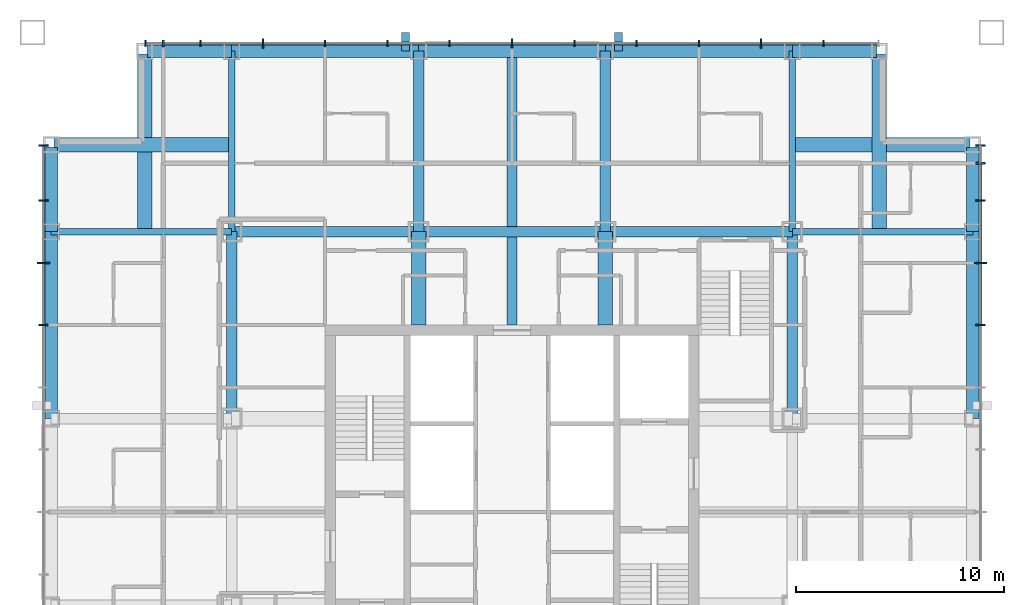
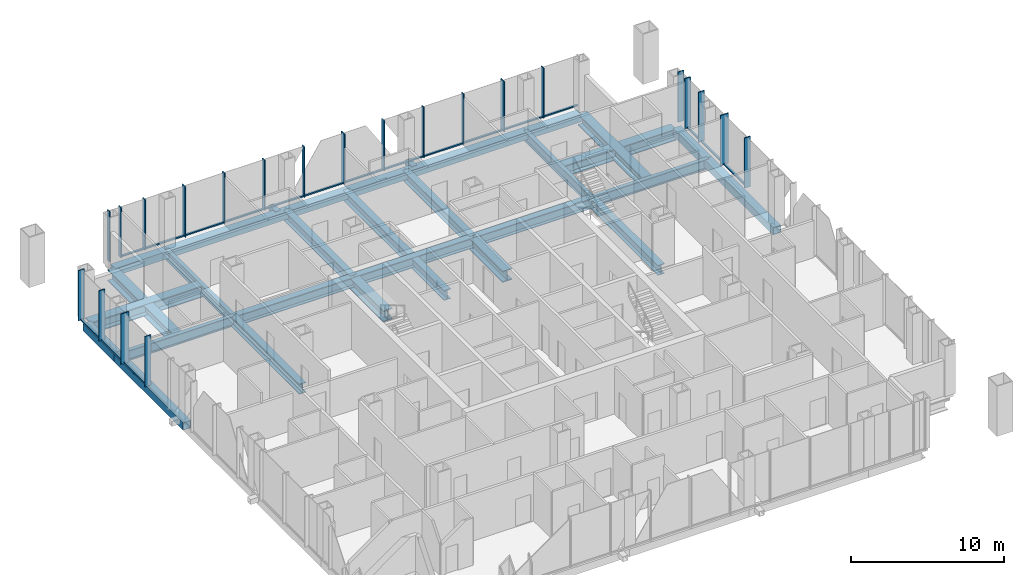
# One storey, part 4 of 17: 42 members, 27 beams, 3 elements without a shape of their own.
"""IFC4 building model written with IfcOpenShell, lengths in metres."""

import ifcopenshell
import ifcopenshell.guid

model = None  # the IFC model being written
_history = None  # IfcOwnerHistory: only IFC2X3 demands one
_inside = {}  # id of a spatial element -> (the spatial element, [elements in it])
_under = {}  # id of a project, library or spatial element -> (it, [spatial elements below it])
_declared = {}  # id of a project -> (the project, [libraries it declares])
_typed = {}  # id of a type object -> (the type object, [elements of that type])
_made_of = {}  # id of a material, layer set ... -> (it, [elements and type objects made of it])


def new_model(schema):
    """Start an empty IFC model of exactly this schema.

    Asked for "IFC4X3", IfcOpenShell would pick the latest addendum, in which some entities
    have other attributes; the version numbers below select the first issue.
    IFC2X3 requires an IfcOwnerHistory on every rooted entity: one is made here for all.
    """
    global model, _history
    if schema == "IFC4X3":
        model = ifcopenshell.file(schema_version=(4, 3, 0, 0))
    else:
        model = ifcopenshell.file(schema=schema)
    _inside.clear()
    _under.clear()
    _declared.clear()
    _typed.clear()
    _made_of.clear()
    _history = None
    if model.schema == "IFC2X3":
        org = make("IfcOrganization", Name="unknown")
        user = make(
            "IfcPersonAndOrganization",
            ThePerson=make("IfcPerson", FamilyName="unknown"),
            TheOrganization=org,
        )
        app = make(
            "IfcApplication",
            ApplicationDeveloper=org,
            Version="unknown",
            ApplicationFullName="unknown",
            ApplicationIdentifier="unknown",
        )
        _history = make(
            "IfcOwnerHistory",
            OwningUser=user,
            OwningApplication=app,
            ChangeAction="ADDED",
            CreationDate=0,
        )
    return model


def make(cls, **values):
    """One entity of the class cls with the attributes given. An attribute that is None is left unset."""
    return model.create_entity(
        cls, **{name: value for name, value in values.items() if value is not None}
    )


def rooted(cls, **values):
    """An entity with a GlobalId (a new one), such as an element, a storey or a relation."""
    return make(cls, GlobalId=ifcopenshell.guid.new(), OwnerHistory=_history, **values)


def si_unit(unit_type, name, prefix=None):
    """IfcSIUnit, for example si_unit("LENGTHUNIT", "METRE", prefix="MILLI")."""
    return make("IfcSIUnit", UnitType=unit_type, Prefix=prefix, Name=name)


def assignment(units):
    """IfcUnitAssignment: the units of a project."""
    return None if units is None else make("IfcUnitAssignment", Units=units)


def point(xyz):
    """IfcCartesianPoint."""
    return None if xyz is None else make("IfcCartesianPoint", Coordinates=xyz)


def direction(xyz):
    """IfcDirection."""
    return None if xyz is None else make("IfcDirection", DirectionRatios=xyz)


def frame(location, z_axis=None, x_axis=None):
    """IfcAxis2Placement3D, a coordinate frame: its origin and axes. An axis left out is left unset."""
    return make(
        "IfcAxis2Placement3D",
        Location=point(location),
        Axis=direction(z_axis),
        RefDirection=direction(x_axis),
    )


def frame_2d(location, x_axis=None):
    """IfcAxis2Placement2D, a coordinate frame in the plane: its origin and x axis."""
    return make(
        "IfcAxis2Placement2D", Location=point(location), RefDirection=direction(x_axis)
    )


def origin():
    """The frame at (0, 0, 0) with its axes left unset."""
    return frame((0.0, 0.0, 0.0))


def origin_2d():
    """The frame at (0, 0) in the plane with its x axis left unset."""
    return frame_2d((0.0, 0.0))


def place(relative_to, where):
    """IfcLocalPlacement: puts the frame where relative to a parent placement (None: the world)."""
    return make(
        "IfcLocalPlacement", PlacementRelTo=relative_to, RelativePlacement=where
    )


def context(
    kind, dimensions, precision=None, world=None, true_north=None, identifier=None
):
    """IfcGeometricRepresentationContext, for example the 3D "Model" context."""
    return make(
        "IfcGeometricRepresentationContext",
        ContextIdentifier=identifier,
        ContextType=kind,
        CoordinateSpaceDimension=dimensions,
        Precision=precision,
        WorldCoordinateSystem=world,
        TrueNorth=true_north,
    )


def subcontext(parent, identifier, kind, view, scale=None):
    """IfcGeometricRepresentationSubContext, for example "Body" below "Model"."""
    return make(
        "IfcGeometricRepresentationSubContext",
        ContextIdentifier=identifier,
        ContextType=kind,
        ParentContext=parent,
        TargetScale=scale,
        TargetView=view,
    )


def project(units=None, contexts=None):
    """IfcProject with its units and contexts."""
    return rooted(
        "IfcProject",
        Name="project",
        RepresentationContexts=contexts,
        UnitsInContext=assignment(units),
    )


def spatial(cls, under=None, at=None, **own):
    """A site, building, storey or space (cls), placed at a placement, below another one or the project."""
    s = rooted(cls, ObjectPlacement=at, **own)
    if under is not None:
        _under.setdefault(under.id(), (under, []))[1].append(s)
    return s


def profile(cls, at=None, kind="AREA", **sizes):
    """A parametric profile (cls). Its sizes go by their IFC names, for example OverallWidth=200.0."""
    return make(cls, ProfileType=kind, Position=at, **sizes)


def rectangle(**sizes):
    """IfcRectangleProfileDef."""
    return profile("IfcRectangleProfileDef", **sizes)


def hollow_rectangle(**sizes):
    """IfcRectangleHollowProfileDef."""
    return profile("IfcRectangleHollowProfileDef", **sizes)


def i_section(**sizes):
    """IfcIShapeProfileDef."""
    return profile("IfcIShapeProfileDef", **sizes)


def extrude(swept, where, along, depth):
    """IfcExtrudedAreaSolid: the profile swept, set in the frame where, extruded along a direction by depth."""
    return make(
        "IfcExtrudedAreaSolid",
        SweptArea=swept,
        Position=where,
        ExtrudedDirection=direction(along),
        Depth=depth,
    )


def shape(context_of_items, identifier, shape_type, items):
    """IfcShapeRepresentation: the items that make up one representation, for example the "Body"."""
    return make(
        "IfcShapeRepresentation",
        ContextOfItems=context_of_items,
        RepresentationIdentifier=identifier,
        RepresentationType=shape_type,
        Items=items,
    )


def material(Name=None, Category=None):
    """IfcMaterial."""
    return make("IfcMaterial", Name=Name, Category=Category)


def layer(
    of_material, thickness, ventilated=None, Name=None, Category=None, Priority=None
):
    """IfcMaterialLayer: one layer of a wall or slab, of a material (None: an air gap)."""
    return make(
        "IfcMaterialLayer",
        Material=of_material,
        LayerThickness=thickness,
        IsVentilated=ventilated,
        Name=Name,
        Category=Category,
        Priority=Priority,
    )


def layer_set(layers, Name=None):
    """IfcMaterialLayerSet."""
    return make("IfcMaterialLayerSet", MaterialLayers=layers, LayerSetName=Name)


def material_profile(
    of_material, cross_section, Name=None, Category=None, Priority=None
):
    """IfcMaterialProfile: a cross section and its material."""
    return make(
        "IfcMaterialProfile",
        Name=Name,
        Material=of_material,
        Profile=cross_section,
        Priority=Priority,
        Category=Category,
    )


def profile_set(profiles, Name=None, composite=None):
    """IfcMaterialProfileSet."""
    return make(
        "IfcMaterialProfileSet",
        Name=Name,
        MaterialProfiles=profiles,
        CompositeProfile=composite,
    )


def made_of(thing, what):
    """Note that an element or type object is made of a material, layer set ...; save() writes the relation."""
    if what is not None:
        _made_of.setdefault(what.id(), (what, []))[1].append(thing)
    return thing


def type_object(cls, material=None, **own):
    """A type object (cls), such as IfcWallType, which elements share."""
    return made_of(rooted(cls, **own), material)


def element(
    cls,
    number,
    at=None,
    inside=None,
    cuts=None,
    type_object=None,
    material=None,
    context=None,
    identifier="Body",
    shape_type=None,
    held_by="IfcProductDefinitionShape",
    body=None,
    shapes=None,
    **own,
):
    """One element of the class cls, such as IfcWall. Its Tag is "e" and its number.

    at: its placement. inside: the storey or other place that contains it. cuts: it is an
    opening in that element (IfcRelVoidsElement). A single representation is given by context,
    identifier, shape_type and body (its items); several are given by shapes. held_by: the class
    of the entity that holds the representations. save() writes the other relations.
    """
    e = rooted(cls, Tag="e%d" % number, ObjectPlacement=at, **own)
    if body is not None:
        shapes = [shape(context, identifier, shape_type, body)]
    if shapes is not None:
        e.Representation = make(held_by, Representations=shapes)
    if inside is not None:
        _inside.setdefault(inside.id(), (inside, []))[1].append(e)
    if cuts is not None:
        rooted(
            "IfcRelVoidsElement", RelatingBuildingElement=cuts, RelatedOpeningElement=e
        )
    if type_object is not None:
        _typed.setdefault(type_object.id(), (type_object, []))[1].append(e)
    return made_of(e, material)


def aggregate(whole, parts):
    """IfcRelAggregates: a whole, such as a stair, and the parts it consists of."""
    return rooted("IfcRelAggregates", RelatingObject=whole, RelatedObjects=parts)


def save(model, path):
    """Write the relations noted so far, then the file.

    IfcRelAggregates (storeys below a building ...), IfcRelContainedInSpatialStructure (elements
    in a storey), IfcRelDefinesByType, IfcRelAssociatesMaterial and IfcRelDeclares: one each for
    every whole, place, type object, material and project.
    """
    for whole, parts in _under.values():
        aggregate(whole, parts)
    for where, things in _inside.values():
        rooted(
            "IfcRelContainedInSpatialStructure",
            RelatedElements=things,
            RelatingStructure=where,
        )
    for kind, things in _typed.values():
        rooted("IfcRelDefinesByType", RelatedObjects=things, RelatingType=kind)
    for what, things in _made_of.values():
        rooted("IfcRelAssociatesMaterial", RelatedObjects=things, RelatingMaterial=what)
    for by, libraries in _declared.values():
        rooted("IfcRelDeclares", RelatingContext=by, RelatedDefinitions=libraries)
    model.write(path)


model = new_model("IFC4")

# Units and contexts
model_context = context("Model", 3, precision=1e-05, world=origin(), true_north=direction((0.0, 1.0)))
body_context = subcontext(model_context, "Body", "Model", "MODEL_VIEW")
ifc_project = project(units=[si_unit("LENGTHUNIT", "METRE"), si_unit("AREAUNIT", "SQUARE_METRE"), si_unit("VOLUMEUNIT", "CUBIC_METRE"), si_unit("PLANEANGLEUNIT", "RADIAN"), si_unit("MASSUNIT", "GRAM", prefix="KILO")], contexts=[model_context])

# Site, building, storey
site_placement = place(None, origin())
site = spatial("IfcSite", under=ifc_project, at=site_placement, CompositionType="ELEMENT")
building_placement = place(site_placement, origin())
building = spatial("IfcBuilding", under=site, at=building_placement, Name="Malebo Sky Hospital", CompositionType="ELEMENT")
storey_placement = place(building_placement, frame((0.0, 0.0, 237.0)))
storey = spatial("IfcBuildingStorey", under=building, at=storey_placement, Name="L57", CompositionType="ELEMENT", Elevation=237.0)

# Curtain wall, members
ifc_material_1 = material(Name="Anodised aluminium, natural silver", Category="aluminium")
ifc_layer_1 = layer(ifc_material_1, 0.25)
ifc_layer_set_1 = layer_set([ifc_layer_1], Name="WARD CURTAIN WALL NORTH AND SOUTH")
curtain_wall_type_1 = type_object("IfcCurtainWallType", Name="WARD CURTAIN WALL NORTH AND SOUTH", PredefinedType="NOTDEFINED", material=ifc_layer_set_1)
curtain_wall_1_placement = place(storey_placement, origin())
curtain_wall_1 = element("IfcCurtainWall", 1, at=curtain_wall_1_placement, inside=storey, type_object=curtain_wall_type_1, Name="NS curtain wall N", PredefinedType="NOTDEFINED")
ifc_material_profile_1 = material_profile(ifc_material_1, rectangle(XDim=0.14990234375, YDim=0.10009765625, at=origin_2d()), Name="ALUMINIUM TRANSOM 150x100")
ifc_profile_set_1 = profile_set([ifc_material_profile_1], Name="Anodised aluminium, natural silver")
member_type_1 = type_object("IfcMemberType", Name="ALUMINIUM TRANSOM 150x100", PredefinedType="USERDEFINED", material=ifc_profile_set_1)
member_1_placement = place(storey_placement, frame((43.237548828125, 84.574951171875, 0.050048828125), z_axis=(1.0, 0.0, 0.0), x_axis=(0.0, 1.0, 0.0)))
member_1 = element("IfcMember", 2, at=member_1_placement, type_object=member_type_1, Name="Transom 2", ObjectType="TRANSOM", PredefinedType="USERDEFINED", context=body_context, shape_type="SweptSolid", body=[
    extrude(rectangle(XDim=0.14990234375, YDim=0.10009765625, at=origin_2d()), origin(), (0.0, 0.0, 1.0), 1.724853515625),
])
member_2_placement = place(storey_placement, frame((45.03759765625, 84.574951171875, 0.050048828125), z_axis=(1.0, 0.0, 0.0), x_axis=(0.0, 1.0, 0.0)))
member_2 = element("IfcMember", 3, at=member_2_placement, type_object=member_type_1, Name="Transom 3", ObjectType="TRANSOM", PredefinedType="USERDEFINED", context=body_context, shape_type="SweptSolid", body=[
    extrude(rectangle(XDim=0.14990234375, YDim=0.10009765625, at=origin_2d()), origin(), (0.0, 0.0, 1.0), 2.9248046875),
])
member_3_placement = place(storey_placement, frame((48.03759765625, 84.574951171875, 0.050048828125), z_axis=(1.0, 0.0, 0.0), x_axis=(0.0, 1.0, 0.0)))
member_3 = element("IfcMember", 4, at=member_3_placement, type_object=member_type_1, Name="Transom 4", ObjectType="TRANSOM", PredefinedType="USERDEFINED", context=body_context, shape_type="SweptSolid", body=[
    extrude(rectangle(XDim=0.14990234375, YDim=0.10009765625, at=origin_2d()), origin(), (0.0, 0.0, 1.0), 2.9248046875),
])
member_4_placement = place(storey_placement, frame((51.03759765625, 84.574951171875, 0.050048828125), z_axis=(1.0, 0.0, 0.0), x_axis=(0.0, 1.0, 0.0)))
member_4 = element("IfcMember", 5, at=member_4_placement, type_object=member_type_1, Name="Transom 5", ObjectType="TRANSOM", PredefinedType="USERDEFINED", context=body_context, shape_type="SweptSolid", body=[
    extrude(rectangle(XDim=0.14990234375, YDim=0.10009765625, at=origin_2d()), origin(), (0.0, 0.0, 1.0), 2.9248046875),
])
member_5_placement = place(storey_placement, frame((54.03759765625, 84.574951171875, 0.050048828125), z_axis=(1.0, 0.0, 0.0), x_axis=(0.0, 1.0, 0.0)))
member_5 = element("IfcMember", 6, at=member_5_placement, type_object=member_type_1, Name="Transom 6", ObjectType="TRANSOM", PredefinedType="USERDEFINED", context=body_context, shape_type="SweptSolid", body=[
    extrude(rectangle(XDim=0.14990234375, YDim=0.10009765625, at=origin_2d()), origin(), (0.0, 0.0, 1.0), 2.9248046875),
])
member_6_placement = place(storey_placement, frame((57.03759765625, 84.574951171875, 0.050048828125), z_axis=(1.0, 0.0, 0.0), x_axis=(0.0, 1.0, 0.0)))
member_6 = element("IfcMember", 7, at=member_6_placement, type_object=member_type_1, Name="Transom 7", ObjectType="TRANSOM", PredefinedType="USERDEFINED", context=body_context, shape_type="SweptSolid", body=[
    extrude(rectangle(XDim=0.14990234375, YDim=0.10009765625, at=origin_2d()), origin(), (0.0, 0.0, 1.0), 2.9248046875),
])
member_7_placement = place(storey_placement, frame((60.03759765625, 84.574951171875, 0.050048828125), z_axis=(1.0, 0.0, 0.0), x_axis=(0.0, 1.0, 0.0)))
member_7 = element("IfcMember", 8, at=member_7_placement, type_object=member_type_1, Name="Transom 8", ObjectType="TRANSOM", PredefinedType="USERDEFINED", context=body_context, shape_type="SweptSolid", body=[
    extrude(rectangle(XDim=0.14990234375, YDim=0.10009765625, at=origin_2d()), origin(), (0.0, 0.0, 1.0), 2.9248046875),
])
member_8_placement = place(storey_placement, frame((63.03759765625, 84.574951171875, 0.050048828125), z_axis=(1.0, 0.0, 0.0), x_axis=(0.0, 1.0, 0.0)))
member_8 = element("IfcMember", 9, at=member_8_placement, type_object=member_type_1, Name="Transom 9", ObjectType="TRANSOM", PredefinedType="USERDEFINED", context=body_context, shape_type="SweptSolid", body=[
    extrude(rectangle(XDim=0.14990234375, YDim=0.10009765625, at=origin_2d()), origin(), (0.0, 0.0, 1.0), 2.9248046875),
])
member_9_placement = place(storey_placement, frame((66.03759765625, 84.574951171875, 0.050048828125), z_axis=(1.0, 0.0, 0.0), x_axis=(0.0, 1.0, 0.0)))
member_9 = element("IfcMember", 10, at=member_9_placement, type_object=member_type_1, Name="Transom 10", ObjectType="TRANSOM", PredefinedType="USERDEFINED", context=body_context, shape_type="SweptSolid", body=[
    extrude(rectangle(XDim=0.14990234375, YDim=0.10009765625, at=origin_2d()), origin(), (0.0, 0.0, 1.0), 2.9248046875),
])
member_10_placement = place(storey_placement, frame((69.03759765625, 84.574951171875, 0.050048828125), z_axis=(1.0, 0.0, 0.0), x_axis=(0.0, 1.0, 0.0)))
member_10 = element("IfcMember", 11, at=member_10_placement, type_object=member_type_1, Name="Transom 11", ObjectType="TRANSOM", PredefinedType="USERDEFINED", context=body_context, shape_type="SweptSolid", body=[
    extrude(rectangle(XDim=0.14990234375, YDim=0.10009765625, at=origin_2d()), origin(), (0.0, 0.0, 1.0), 2.9248046875),
])
member_11_placement = place(storey_placement, frame((72.03759765625, 84.574951171875, 0.050048828125), z_axis=(1.0, 0.0, 0.0), x_axis=(0.0, 1.0, 0.0)))
member_11 = element("IfcMember", 12, at=member_11_placement, type_object=member_type_1, Name="Transom 12", ObjectType="TRANSOM", PredefinedType="USERDEFINED", context=body_context, shape_type="SweptSolid", body=[
    extrude(rectangle(XDim=0.14990234375, YDim=0.10009765625, at=origin_2d()), origin(), (0.0, 0.0, 1.0), 2.9248046875),
])
member_12_placement = place(storey_placement, frame((75.03759765625, 84.574951171875, 0.050048828125), z_axis=(1.0, 0.0, 0.0), x_axis=(0.0, 1.0, 0.0)))
member_12 = element("IfcMember", 13, at=member_12_placement, type_object=member_type_1, Name="Transom 13", ObjectType="TRANSOM", PredefinedType="USERDEFINED", context=body_context, shape_type="SweptSolid", body=[
    extrude(rectangle(XDim=0.14990234375, YDim=0.10009765625, at=origin_2d()), origin(), (0.0, 0.0, 1.0), 2.58740234375),
])

ifc_layer_2 = layer(ifc_material_1, 0.25)
ifc_layer_set_2 = layer_set([ifc_layer_2], Name="WARD CURTAIN WALL EAST AND WEST")
curtain_wall_type_2 = type_object("IfcCurtainWallType", Name="WARD CURTAIN WALL EAST AND WEST", PredefinedType="NOTDEFINED", material=ifc_layer_set_2)
curtain_wall_2_placement = place(storey_placement, origin())
curtain_wall_2 = element("IfcCurtainWall", 14, at=curtain_wall_2_placement, inside=storey, type_object=curtain_wall_type_2, Name="EW curtain wall W", PredefinedType="NOTDEFINED")
member_13_placement = place(storey_placement, frame((37.425048828125, 71.03759765625, 0.050048828125), z_axis=(0.0, 1.0, 0.0), x_axis=(-1.0, 0.0, 0.0)))
member_13 = element("IfcMember", 15, at=member_13_placement, type_object=member_type_1, Name="Transom 11", ObjectType="TRANSOM", PredefinedType="USERDEFINED", context=body_context, shape_type="SweptSolid", body=[
    extrude(rectangle(XDim=0.14990234375, YDim=0.10009765625, at=origin_2d()), origin(), (0.0, 0.0, 1.0), 2.9248046875),
])
member_14_placement = place(storey_placement, frame((37.425048828125, 74.03759765625, 0.050048828125), z_axis=(0.0, 1.0, 0.0), x_axis=(-1.0, 0.0, 0.0)))
member_14 = element("IfcMember", 16, at=member_14_placement, type_object=member_type_1, Name="Transom 12", ObjectType="TRANSOM", PredefinedType="USERDEFINED", context=body_context, shape_type="SweptSolid", body=[
    extrude(rectangle(XDim=0.14990234375, YDim=0.10009765625, at=origin_2d()), origin(), (0.0, 0.0, 1.0), 2.9248046875),
])
member_15_placement = place(storey_placement, frame((37.425048828125, 77.03759765625, 0.050048828125), z_axis=(0.0, 1.0, 0.0), x_axis=(-1.0, 0.0, 0.0)))
member_15 = element("IfcMember", 17, at=member_15_placement, type_object=member_type_1, Name="Transom 13", ObjectType="TRANSOM", PredefinedType="USERDEFINED", context=body_context, shape_type="SweptSolid", body=[
    extrude(rectangle(XDim=0.14990234375, YDim=0.10009765625, at=origin_2d()), origin(), (0.0, 0.0, 1.0), 2.58740234375),
])

curtain_wall_3_placement = place(storey_placement, origin())
curtain_wall_3 = element("IfcCurtainWall", 18, at=curtain_wall_3_placement, inside=storey, type_object=curtain_wall_type_2, Name="EW curtain wall E", PredefinedType="NOTDEFINED")
member_16_placement = place(storey_placement, frame((82.574951171875, 78.762451171875, 0.050048828125), z_axis=(0.0, -1.0, 0.0), x_axis=(1.0, 0.0, 0.0)))
member_16 = element("IfcMember", 19, at=member_16_placement, type_object=member_type_1, Name="Transom 2", ObjectType="TRANSOM", PredefinedType="USERDEFINED", context=body_context, shape_type="SweptSolid", body=[
    extrude(rectangle(XDim=0.14990234375, YDim=0.10009765625, at=origin_2d()), origin(), (0.0, 0.0, 1.0), 1.724853515625),
])
member_17_placement = place(storey_placement, frame((82.574951171875, 76.96240234375, 0.050048828125), z_axis=(0.0, -1.0, 0.0), x_axis=(1.0, 0.0, 0.0)))
member_17 = element("IfcMember", 20, at=member_17_placement, type_object=member_type_1, Name="Transom 3", ObjectType="TRANSOM", PredefinedType="USERDEFINED", context=body_context, shape_type="SweptSolid", body=[
    extrude(rectangle(XDim=0.14990234375, YDim=0.10009765625, at=origin_2d()), origin(), (0.0, 0.0, 1.0), 2.9248046875),
])
member_18_placement = place(storey_placement, frame((82.574951171875, 73.96240234375, 0.050048828125), z_axis=(0.0, -1.0, 0.0), x_axis=(1.0, 0.0, 0.0)))
member_18 = element("IfcMember", 21, at=member_18_placement, type_object=member_type_1, Name="Transom 4", ObjectType="TRANSOM", PredefinedType="USERDEFINED", context=body_context, shape_type="SweptSolid", body=[
    extrude(rectangle(XDim=0.14990234375, YDim=0.10009765625, at=origin_2d()), origin(), (0.0, 0.0, 1.0), 2.9248046875),
])

# Members
ifc_material_2 = material(Name="Steel S355", Category="steel")
ifc_material_profile_2 = material_profile(ifc_material_2, hollow_rectangle(XDim=0.39990234375, YDim=0.39990234375, WallThickness=0.02001953125, at=origin_2d()), Name="SHS 400x20")
ifc_profile_set_2 = profile_set([ifc_material_profile_2], Name="Steel S355")
member_type_2 = type_object("IfcMemberType", Name="BRACE STRUT SHS 400x20", PredefinedType="STRUT", material=ifc_profile_set_2)
for number, where, z_axis, x_axis, name in (
    (22, (65.13330078125, 85.10009765625, -0.39990234375), (0.0, -1.0, 0.0), (1.0, 0.0, 0.0), "Brace strut CN1 L57"),
    (23, (54.86669921875, 85.10009765625, -0.39990234375), (0.0, -1.0, 0.0), (1.0, 0.0, 0.0), "Brace strut CN2 L57"),
):
    element("IfcMember", number, at=place(storey_placement, frame(where, z_axis=z_axis, x_axis=x_axis)), inside=storey, type_object=member_type_2, Name=name, PredefinedType="STRUT", context=body_context, shape_type="SweptSolid", body=[
        extrude(hollow_rectangle(XDim=0.39990234375, YDim=0.39990234375, WallThickness=0.02001953125, at=origin_2d()), origin(), (0.0, 0.0, 1.0), 0.900146484375),
    ])

# Member
ifc_material_profile_3 = material_profile(ifc_material_1, rectangle(XDim=0.074951171875, YDim=0.300048828125, at=origin_2d()), Name="CW1 ALUMINIUM FIN MULLION 75x300")
ifc_profile_set_3 = profile_set([ifc_material_profile_3], Name="Anodised aluminium, natural silver")
member_type_3 = type_object("IfcMemberType", Name="CW1 ALUMINIUM FIN MULLION 75x300", PredefinedType="MULLION", material=ifc_profile_set_3)
member_19_placement = place(storey_placement, frame((42.33740234375, 84.574951171875, 0.0), z_axis=(0.0, 0.0, 1.0), x_axis=(1.0, 0.0, 0.0)))
member_19 = element("IfcMember", 24, at=member_19_placement, type_object=member_type_3, Name="Fin mullion 1", PredefinedType="MULLION", context=body_context, shape_type="SweptSolid", body=[
    extrude(rectangle(XDim=0.074951171875, YDim=0.300048828125, at=origin_2d()), origin(), (0.0, 0.0, 1.0), 4.0),
])

member_20_placement = place(storey_placement, frame((43.199951171875, 84.574951171875, 0.0), z_axis=(0.0, 0.0, 1.0), x_axis=(1.0, 0.0, 0.0)))
member_20 = element("IfcMember", 25, at=member_20_placement, type_object=member_type_3, Name="Fin mullion 2", PredefinedType="MULLION", context=body_context, shape_type="SweptSolid", body=[
    extrude(rectangle(XDim=0.074951171875, YDim=0.300048828125, at=origin_2d()), origin(), (0.0, 0.0, 1.0), 4.0),
])

member_21_placement = place(storey_placement, frame((45.0, 84.574951171875, 0.0), z_axis=(0.0, 0.0, 1.0), x_axis=(1.0, 0.0, 0.0)))
member_21 = element("IfcMember", 26, at=member_21_placement, type_object=member_type_3, Name="Fin mullion 3", PredefinedType="MULLION", context=body_context, shape_type="SweptSolid", body=[
    extrude(rectangle(XDim=0.074951171875, YDim=0.300048828125, at=origin_2d()), origin(), (0.0, 0.0, 1.0), 4.0),
])

member_22_placement = place(storey_placement, frame((51.0, 84.574951171875, 0.0), z_axis=(0.0, 0.0, 1.0), x_axis=(1.0, 0.0, 0.0)))
member_22 = element("IfcMember", 27, at=member_22_placement, type_object=member_type_3, Name="Fin mullion 5", PredefinedType="MULLION", context=body_context, shape_type="SweptSolid", body=[
    extrude(rectangle(XDim=0.074951171875, YDim=0.300048828125, at=origin_2d()), origin(), (0.0, 0.0, 1.0), 4.0),
])

member_23_placement = place(storey_placement, frame((54.0, 84.574951171875, 0.0), z_axis=(0.0, 0.0, 1.0), x_axis=(1.0, 0.0, 0.0)))
member_23 = element("IfcMember", 28, at=member_23_placement, type_object=member_type_3, Name="Fin mullion 6", PredefinedType="MULLION", context=body_context, shape_type="SweptSolid", body=[
    extrude(rectangle(XDim=0.074951171875, YDim=0.300048828125, at=origin_2d()), origin(), (0.0, 0.0, 1.0), 4.0),
])

member_24_placement = place(storey_placement, frame((57.0, 84.574951171875, 0.0), z_axis=(0.0, 0.0, 1.0), x_axis=(1.0, 0.0, 0.0)))
member_24 = element("IfcMember", 29, at=member_24_placement, type_object=member_type_3, Name="Fin mullion 7", PredefinedType="MULLION", context=body_context, shape_type="SweptSolid", body=[
    extrude(rectangle(XDim=0.074951171875, YDim=0.300048828125, at=origin_2d()), origin(), (0.0, 0.0, 1.0), 4.0),
])

member_25_placement = place(storey_placement, frame((63.0, 84.574951171875, 0.0), z_axis=(0.0, 0.0, 1.0), x_axis=(1.0, 0.0, 0.0)))
member_25 = element("IfcMember", 30, at=member_25_placement, type_object=member_type_3, Name="Fin mullion 9", PredefinedType="MULLION", context=body_context, shape_type="SweptSolid", body=[
    extrude(rectangle(XDim=0.074951171875, YDim=0.300048828125, at=origin_2d()), origin(), (0.0, 0.0, 1.0), 4.0),
])

member_26_placement = place(storey_placement, frame((66.0, 84.574951171875, 0.0), z_axis=(0.0, 0.0, 1.0), x_axis=(1.0, 0.0, 0.0)))
member_26 = element("IfcMember", 31, at=member_26_placement, type_object=member_type_3, Name="Fin mullion 10", PredefinedType="MULLION", context=body_context, shape_type="SweptSolid", body=[
    extrude(rectangle(XDim=0.074951171875, YDim=0.300048828125, at=origin_2d()), origin(), (0.0, 0.0, 1.0), 4.0),
])

member_27_placement = place(storey_placement, frame((69.0, 84.574951171875, 0.0), z_axis=(0.0, 0.0, 1.0), x_axis=(1.0, 0.0, 0.0)))
member_27 = element("IfcMember", 32, at=member_27_placement, type_object=member_type_3, Name="Fin mullion 11", PredefinedType="MULLION", context=body_context, shape_type="SweptSolid", body=[
    extrude(rectangle(XDim=0.074951171875, YDim=0.300048828125, at=origin_2d()), origin(), (0.0, 0.0, 1.0), 4.0),
])

member_28_placement = place(storey_placement, frame((75.0, 84.574951171875, 0.0), z_axis=(0.0, 0.0, 1.0), x_axis=(1.0, 0.0, 0.0)))
member_28 = element("IfcMember", 33, at=member_28_placement, type_object=member_type_3, Name="Fin mullion 13", PredefinedType="MULLION", context=body_context, shape_type="SweptSolid", body=[
    extrude(rectangle(XDim=0.074951171875, YDim=0.300048828125, at=origin_2d()), origin(), (0.0, 0.0, 1.0), 4.0),
])

ifc_material_profile_4 = material_profile(ifc_material_1, rectangle(XDim=0.074951171875, YDim=0.449951171875, at=origin_2d()), Name="CW1 ALUMINIUM FIN MULLION 75x450")
ifc_profile_set_4 = profile_set([ifc_material_profile_4], Name="Anodised aluminium, natural silver")
member_type_4 = type_object("IfcMemberType", Name="CW1 ALUMINIUM FIN MULLION 75x450", PredefinedType="MULLION", material=ifc_profile_set_4)
member_29_placement = place(storey_placement, frame((48.0, 84.574951171875, 0.0), z_axis=(0.0, 0.0, 1.0), x_axis=(1.0, 0.0, 0.0)))
member_29 = element("IfcMember", 34, at=member_29_placement, type_object=member_type_4, Name="Fin mullion 4", PredefinedType="MULLION", context=body_context, shape_type="SweptSolid", body=[
    extrude(rectangle(XDim=0.074951171875, YDim=0.449951171875, at=origin_2d()), origin(), (0.0, 0.0, 1.0), 4.0),
])

member_30_placement = place(storey_placement, frame((60.0, 84.574951171875, 0.0), z_axis=(0.0, 0.0, 1.0), x_axis=(1.0, 0.0, 0.0)))
member_30 = element("IfcMember", 35, at=member_30_placement, type_object=member_type_4, Name="Fin mullion 8", PredefinedType="MULLION", context=body_context, shape_type="SweptSolid", body=[
    extrude(rectangle(XDim=0.074951171875, YDim=0.449951171875, at=origin_2d()), origin(), (0.0, 0.0, 1.0), 4.0),
])

member_31_placement = place(storey_placement, frame((72.0, 84.574951171875, 0.0), z_axis=(0.0, 0.0, 1.0), x_axis=(1.0, 0.0, 0.0)))
member_31 = element("IfcMember", 36, at=member_31_placement, type_object=member_type_4, Name="Fin mullion 12", PredefinedType="MULLION", context=body_context, shape_type="SweptSolid", body=[
    extrude(rectangle(XDim=0.074951171875, YDim=0.449951171875, at=origin_2d()), origin(), (0.0, 0.0, 1.0), 4.0),
])

aggregate(curtain_wall_1, [member_19, member_20, member_21, member_29, member_22, member_23, member_24, member_30, member_25, member_26, member_27, member_31, member_28, member_1, member_2, member_3, member_4, member_5, member_6, member_7, member_8, member_9, member_10, member_11, member_12])

ifc_material_profile_5 = material_profile(ifc_material_1, rectangle(XDim=0.074951171875, YDim=0.449951171875, at=origin_2d()), Name="CW2 ALUMINIUM FIN MULLION 75x450")
ifc_profile_set_5 = profile_set([ifc_material_profile_5], Name="Anodised aluminium, natural silver")
member_type_5 = type_object("IfcMemberType", Name="CW2 ALUMINIUM FIN MULLION 75x450", PredefinedType="MULLION", material=ifc_profile_set_5)
member_32_placement = place(storey_placement, frame((37.425048828125, 71.0, 0.0), z_axis=(0.0, 0.0, 1.0), x_axis=(0.0, 1.0, 0.0)))
member_32 = element("IfcMember", 37, at=member_32_placement, type_object=member_type_5, Name="Fin mullion 11", PredefinedType="MULLION", context=body_context, shape_type="SweptSolid", body=[
    extrude(rectangle(XDim=0.074951171875, YDim=0.449951171875, at=origin_2d()), origin(), (0.0, 0.0, 1.0), 4.0),
])

member_33_placement = place(storey_placement, frame((37.425048828125, 77.0, 0.0), z_axis=(0.0, 0.0, 1.0), x_axis=(0.0, 1.0, 0.0)))
member_33 = element("IfcMember", 38, at=member_33_placement, type_object=member_type_5, Name="Fin mullion 13", PredefinedType="MULLION", context=body_context, shape_type="SweptSolid", body=[
    extrude(rectangle(XDim=0.074951171875, YDim=0.449951171875, at=origin_2d()), origin(), (0.0, 0.0, 1.0), 4.0),
])

member_34_placement = place(storey_placement, frame((37.425048828125, 79.66259765625, 0.0), z_axis=(0.0, 0.0, 1.0), x_axis=(0.0, 1.0, 0.0)))
member_34 = element("IfcMember", 39, at=member_34_placement, type_object=member_type_5, Name="Fin mullion 14", PredefinedType="MULLION", context=body_context, shape_type="SweptSolid", body=[
    extrude(rectangle(XDim=0.074951171875, YDim=0.449951171875, at=origin_2d()), origin(), (0.0, 0.0, 1.0), 4.0),
])

member_35_placement = place(storey_placement, frame((82.574951171875, 79.66259765625, 0.0), z_axis=(0.0, 0.0, 1.0), x_axis=(0.0, -1.0, 0.0)))
member_35 = element("IfcMember", 40, at=member_35_placement, type_object=member_type_5, Name="Fin mullion 1", PredefinedType="MULLION", context=body_context, shape_type="SweptSolid", body=[
    extrude(rectangle(XDim=0.074951171875, YDim=0.449951171875, at=origin_2d()), origin(), (0.0, 0.0, 1.0), 4.0),
])

member_36_placement = place(storey_placement, frame((82.574951171875, 78.800048828125, 0.0), z_axis=(0.0, 0.0, 1.0), x_axis=(0.0, -1.0, 0.0)))
member_36 = element("IfcMember", 41, at=member_36_placement, type_object=member_type_5, Name="Fin mullion 2", PredefinedType="MULLION", context=body_context, shape_type="SweptSolid", body=[
    extrude(rectangle(XDim=0.074951171875, YDim=0.449951171875, at=origin_2d()), origin(), (0.0, 0.0, 1.0), 4.0),
])

member_37_placement = place(storey_placement, frame((82.574951171875, 77.0, 0.0), z_axis=(0.0, 0.0, 1.0), x_axis=(0.0, -1.0, 0.0)))
member_37 = element("IfcMember", 42, at=member_37_placement, type_object=member_type_5, Name="Fin mullion 3", PredefinedType="MULLION", context=body_context, shape_type="SweptSolid", body=[
    extrude(rectangle(XDim=0.074951171875, YDim=0.449951171875, at=origin_2d()), origin(), (0.0, 0.0, 1.0), 4.0),
])

member_38_placement = place(storey_placement, frame((82.574951171875, 71.0, 0.0), z_axis=(0.0, 0.0, 1.0), x_axis=(0.0, -1.0, 0.0)))
member_38 = element("IfcMember", 43, at=member_38_placement, type_object=member_type_5, Name="Fin mullion 5", PredefinedType="MULLION", context=body_context, shape_type="SweptSolid", body=[
    extrude(rectangle(XDim=0.074951171875, YDim=0.449951171875, at=origin_2d()), origin(), (0.0, 0.0, 1.0), 4.0),
])

ifc_material_profile_6 = material_profile(ifc_material_1, rectangle(XDim=0.074951171875, YDim=0.60009765625, at=origin_2d()), Name="CW2 ALUMINIUM FIN MULLION 75x600")
ifc_profile_set_6 = profile_set([ifc_material_profile_6], Name="Anodised aluminium, natural silver")
member_type_6 = type_object("IfcMemberType", Name="CW2 ALUMINIUM FIN MULLION 75x600", PredefinedType="MULLION", material=ifc_profile_set_6)
member_39_placement = place(storey_placement, frame((37.425048828125, 74.0, 0.0), z_axis=(0.0, 0.0, 1.0), x_axis=(0.0, 1.0, 0.0)))
member_39 = element("IfcMember", 44, at=member_39_placement, type_object=member_type_6, Name="Fin mullion 12", PredefinedType="MULLION", context=body_context, shape_type="SweptSolid", body=[
    extrude(rectangle(XDim=0.074951171875, YDim=0.60009765625, at=origin_2d()), origin(), (0.0, 0.0, 1.0), 4.0),
])

aggregate(curtain_wall_2, [member_32, member_39, member_33, member_34, member_13, member_14, member_15])

member_40_placement = place(storey_placement, frame((82.574951171875, 74.0, 0.0), z_axis=(0.0, 0.0, 1.0), x_axis=(0.0, -1.0, 0.0)))
member_40 = element("IfcMember", 45, at=member_40_placement, type_object=member_type_6, Name="Fin mullion 4", PredefinedType="MULLION", context=body_context, shape_type="SweptSolid", body=[
    extrude(rectangle(XDim=0.074951171875, YDim=0.60009765625, at=origin_2d()), origin(), (0.0, 0.0, 1.0), 4.0),
])

aggregate(curtain_wall_3, [member_35, member_36, member_37, member_40, member_38, member_16, member_17, member_18])

# Beams
ifc_material_3 = material(Name="Steel S460", Category="steel")
ifc_material_profile_7 = material_profile(ifc_material_3, hollow_rectangle(XDim=0.60009765625, YDim=0.60009765625, WallThickness=0.0400390625, at=origin_2d()), Name="BOX 600x600x40")
ifc_profile_set_7 = profile_set([ifc_material_profile_7], Name="Steel S460")
beam_type_1 = type_object("IfcBeamType", Name="EDGE BEAM BOX 600x600x40", PredefinedType="BEAM", material=ifc_profile_set_7)
beam_1_placement = place(storey_placement, frame((37.800048828125, 66.5, -0.550048828125), z_axis=(0.0, 1.0, 0.0), x_axis=(-1.0, 0.0, 0.0)))
element("IfcBeam", 46, at=beam_1_placement, inside=storey, type_object=beam_type_1, Name="Beam 003 L57", PredefinedType="BEAM", context=body_context, shape_type="SweptSolid", body=[
    extrude(hollow_rectangle(XDim=0.60009765625, YDim=0.60009765625, WallThickness=0.0400390625, at=origin_2d()), origin(), (0.0, 0.0, 1.0), 9.0),
])
beam_2_placement = place(storey_placement, frame((37.800048828125, 75.5, -0.550048828125), z_axis=(0.0, 1.0, 0.0), x_axis=(-1.0, 0.0, 0.0)))
element("IfcBeam", 47, at=beam_2_placement, inside=storey, type_object=beam_type_1, Name="Beam 004 L57", PredefinedType="BEAM", context=body_context, shape_type="SweptSolid", body=[
    extrude(hollow_rectangle(XDim=0.60009765625, YDim=0.60009765625, WallThickness=0.0400390625, at=origin_2d()), origin(), (0.0, 0.0, 1.0), 4.050048828125),
])
beam_3_placement = place(storey_placement, frame((82.199951171875, 66.5, -0.550048828125), z_axis=(0.0, 1.0, 0.0), x_axis=(-1.0, 0.0, 0.0)))
element("IfcBeam", 48, at=beam_3_placement, inside=storey, type_object=beam_type_1, Name="Beam 032 L57", PredefinedType="BEAM", context=body_context, shape_type="SweptSolid", body=[
    extrude(hollow_rectangle(XDim=0.60009765625, YDim=0.60009765625, WallThickness=0.0400390625, at=origin_2d()), origin(), (0.0, 0.0, 1.0), 9.0),
])
for number, where, z_axis, x_axis, name in (
    (49, (82.199951171875, 75.5, -0.550048828125), (0.0, 1.0, 0.0), (-1.0, 0.0, 0.0), "Beam 033 L57"),
    (50, (42.449951171875, 84.199951171875, -0.550048828125), (1.0, 0.0, 0.0), (0.0, 1.0, 0.0), "Beam 063 L57"),
):
    element("IfcBeam", number, at=place(storey_placement, frame(where, z_axis=z_axis, x_axis=x_axis)), inside=storey, type_object=beam_type_1, Name=name, PredefinedType="BEAM", context=body_context, shape_type="SweptSolid", body=[
        extrude(hollow_rectangle(XDim=0.60009765625, YDim=0.60009765625, WallThickness=0.0400390625, at=origin_2d()), origin(), (0.0, 0.0, 1.0), 4.050048828125),
    ])
for number, where, z_axis, x_axis, name in (
    (51, (46.5, 84.199951171875, -0.550048828125), (1.0, 0.0, 0.0), (0.0, 1.0, 0.0), "Beam 064 L57"),
    (52, (55.5, 84.199951171875, -0.550048828125), (1.0, 0.0, 0.0), (0.0, 1.0, 0.0), "Beam 065 L57"),
    (53, (64.5, 84.199951171875, -0.550048828125), (1.0, 0.0, 0.0), (0.0, 1.0, 0.0), "Beam 066 L57"),
):
    element("IfcBeam", number, at=place(storey_placement, frame(where, z_axis=z_axis, x_axis=x_axis)), inside=storey, type_object=beam_type_1, Name=name, PredefinedType="BEAM", context=body_context, shape_type="SweptSolid", body=[
        extrude(hollow_rectangle(XDim=0.60009765625, YDim=0.60009765625, WallThickness=0.0400390625, at=origin_2d()), origin(), (0.0, 0.0, 1.0), 9.0),
    ])
beam_4_placement = place(storey_placement, frame((73.5, 84.199951171875, -0.550048828125), z_axis=(1.0, 0.0, 0.0), x_axis=(0.0, 1.0, 0.0)))
element("IfcBeam", 54, at=beam_4_placement, inside=storey, type_object=beam_type_1, Name="Beam 067 L57", PredefinedType="BEAM", context=body_context, shape_type="SweptSolid", body=[
    extrude(hollow_rectangle(XDim=0.60009765625, YDim=0.60009765625, WallThickness=0.0400390625, at=origin_2d()), origin(), (0.0, 0.0, 1.0), 4.050048828125),
])
ifc_material_profile_8 = material_profile(ifc_material_2, i_section(OverallWidth=0.5, OverallDepth=0.800048828125, WebThickness=0.030029296875, FlangeThickness=0.050048828125, at=origin_2d()), Name="PG 800x500x30x50")
ifc_profile_set_8 = profile_set([ifc_material_profile_8], Name="Steel S355")
beam_type_2 = type_object("IfcBeamType", Name="FLOOR BEAM PG 800x500x30x50", PredefinedType="BEAM", material=ifc_profile_set_8)
beam_5_placement = place(storey_placement, frame((46.5, 66.5, -0.64990234375), z_axis=(0.0, 1.0, 0.0), x_axis=(-1.0, 0.0, 0.0)))
element("IfcBeam", 55, at=beam_5_placement, inside=storey, type_object=beam_type_2, Name="Beam 010 L57", PredefinedType="BEAM", context=body_context, shape_type="SweptSolid", body=[
    extrude(i_section(OverallWidth=0.5, OverallDepth=0.800048828125, WebThickness=0.030029296875, FlangeThickness=0.050048828125, at=origin_2d()), origin(), (0.0, 0.0, 1.0), 9.0),
])
beam_6_placement = place(storey_placement, frame((55.5, 75.5, -0.64990234375), z_axis=(0.0, 1.0, 0.0), x_axis=(-1.0, 0.0, 0.0)))
element("IfcBeam", 56, at=beam_6_placement, inside=storey, type_object=beam_type_2, Name="Beam 015 L57", PredefinedType="BEAM", context=body_context, shape_type="SweptSolid", body=[
    extrude(i_section(OverallWidth=0.5, OverallDepth=0.800048828125, WebThickness=0.030029296875, FlangeThickness=0.050048828125, at=origin_2d()), origin(), (0.0, 0.0, 1.0), 8.699951171875),
])
beam_7_placement = place(storey_placement, frame((60.0, 71.0, -0.64990234375), z_axis=(0.0, 1.0, 0.0), x_axis=(-1.0, 0.0, 0.0)))
element("IfcBeam", 57, at=beam_7_placement, inside=storey, type_object=beam_type_2, Name="Beam 017 L57", PredefinedType="BEAM", context=body_context, shape_type="SweptSolid", body=[
    extrude(i_section(OverallWidth=0.5, OverallDepth=0.800048828125, WebThickness=0.030029296875, FlangeThickness=0.050048828125, at=origin_2d()), origin(), (0.0, 0.0, 1.0), 13.199951171875),
])
beam_8_placement = place(storey_placement, frame((64.5, 75.5, -0.64990234375), z_axis=(0.0, 1.0, 0.0), x_axis=(-1.0, 0.0, 0.0)))
element("IfcBeam", 58, at=beam_8_placement, inside=storey, type_object=beam_type_2, Name="Beam 021 L57", PredefinedType="BEAM", context=body_context, shape_type="SweptSolid", body=[
    extrude(i_section(OverallWidth=0.5, OverallDepth=0.800048828125, WebThickness=0.030029296875, FlangeThickness=0.050048828125, at=origin_2d()), origin(), (0.0, 0.0, 1.0), 8.699951171875),
])
for number, where, z_axis, x_axis, name in (
    (59, (73.5, 66.5, -0.64990234375), (0.0, 1.0, 0.0), (-1.0, 0.0, 0.0), "Beam 025 L57"),
    (60, (46.5, 75.5, -0.64990234375), (1.0, 0.0, 0.0), (0.0, 1.0, 0.0), "Beam 057 L57"),
    (61, (64.5, 75.5, -0.64990234375), (1.0, 0.0, 0.0), (0.0, 1.0, 0.0), "Beam 059 L57"),
):
    element("IfcBeam", number, at=place(storey_placement, frame(where, z_axis=z_axis, x_axis=x_axis)), inside=storey, type_object=beam_type_2, Name=name, PredefinedType="BEAM", context=body_context, shape_type="SweptSolid", body=[
        extrude(i_section(OverallWidth=0.5, OverallDepth=0.800048828125, WebThickness=0.030029296875, FlangeThickness=0.050048828125, at=origin_2d()), origin(), (0.0, 0.0, 1.0), 9.0),
    ])
ifc_material_profile_9 = material_profile(ifc_material_2, i_section(OverallWidth=0.699951171875, OverallDepth=0.89990234375, WebThickness=0.0400390625, FlangeThickness=0.070068359375, at=origin_2d()), Name="PG 900x700x40x70")
ifc_profile_set_9 = profile_set([ifc_material_profile_9], Name="Steel S355")
beam_type_3 = type_object("IfcBeamType", Name="FLOOR BEAM PG 900x700x40x70", PredefinedType="BEAM", material=ifc_profile_set_9)
beam_9_placement = place(storey_placement, frame((42.300048828125, 75.5, -0.699951171875), z_axis=(0.0, 1.0, 0.0), x_axis=(-1.0, 0.0, 0.0)))
element("IfcBeam", 62, at=beam_9_placement, inside=storey, type_object=beam_type_3, Name="Beam 006 L57", PredefinedType="BEAM", context=body_context, shape_type="SweptSolid", body=[
    extrude(i_section(OverallWidth=0.699951171875, OverallDepth=0.89990234375, WebThickness=0.0400390625, FlangeThickness=0.070068359375, at=origin_2d()), origin(), (0.0, 0.0, 1.0), 8.550048828125),
])
for number, where, z_axis, x_axis, name in (
    (63, (55.5, 71.0, -0.699951171875), (0.0, 1.0, 0.0), (-1.0, 0.0, 0.0), "Beam 014 L57"),
    (64, (64.5, 71.0, -0.699951171875), (0.0, 1.0, 0.0), (-1.0, 0.0, 0.0), "Beam 020 L57"),
):
    element("IfcBeam", number, at=place(storey_placement, frame(where, z_axis=z_axis, x_axis=x_axis)), inside=storey, type_object=beam_type_3, Name=name, PredefinedType="BEAM", context=body_context, shape_type="SweptSolid", body=[
        extrude(i_section(OverallWidth=0.699951171875, OverallDepth=0.89990234375, WebThickness=0.0400390625, FlangeThickness=0.070068359375, at=origin_2d()), origin(), (0.0, 0.0, 1.0), 4.5),
    ])
for number, where, z_axis, x_axis, name in (
    (65, (77.699951171875, 75.5, -0.699951171875), (0.0, 1.0, 0.0), (-1.0, 0.0, 0.0), "Beam 028 L57"),
    (66, (37.949951171875, 79.699951171875, -0.699951171875), (1.0, 0.0, 0.0), (0.0, 1.0, 0.0), "Beam 061 L57"),
    (67, (73.5, 79.699951171875, -0.699951171875), (1.0, 0.0, 0.0), (0.0, 1.0, 0.0), "Beam 062 L57"),
):
    element("IfcBeam", number, at=place(storey_placement, frame(where, z_axis=z_axis, x_axis=x_axis)), inside=storey, type_object=beam_type_3, Name=name, PredefinedType="BEAM", context=body_context, shape_type="SweptSolid", body=[
        extrude(i_section(OverallWidth=0.699951171875, OverallDepth=0.89990234375, WebThickness=0.0400390625, FlangeThickness=0.070068359375, at=origin_2d()), origin(), (0.0, 0.0, 1.0), 8.550048828125),
    ])
ifc_material_profile_10 = material_profile(ifc_material_2, i_section(OverallWidth=0.300048828125, OverallDepth=0.800048828125, WebThickness=0.017578125, FlangeThickness=0.032958984375, FilletRadius=0.030029296875, at=origin_2d()), Name="HEB 800")
ifc_profile_set_10 = profile_set([ifc_material_profile_10], Name="Steel S355")
beam_type_4 = type_object("IfcBeamType", Name="FLOOR GIRDER HEB 800", PredefinedType="BEAM", material=ifc_profile_set_10)
for number, where, z_axis, x_axis, name in (
    (68, (46.5, 75.5, -0.64990234375), (0.0, 1.0, 0.0), (-1.0, 0.0, 0.0), "Beam 011 L57"),
    (69, (73.5, 75.5, -0.64990234375), (0.0, 1.0, 0.0), (-1.0, 0.0, 0.0), "Beam 026 L57"),
    (70, (37.800048828125, 75.5, -0.64990234375), (1.0, 0.0, 0.0), (0.0, 1.0, 0.0), "Beam 056 L57"),
    (71, (73.5, 75.5, -0.64990234375), (1.0, 0.0, 0.0), (0.0, 1.0, 0.0), "Beam 060 L57"),
):
    element("IfcBeam", number, at=place(storey_placement, frame(where, z_axis=z_axis, x_axis=x_axis)), inside=storey, type_object=beam_type_4, Name=name, PredefinedType="BEAM", context=body_context, shape_type="SweptSolid", body=[
        extrude(i_section(OverallWidth=0.300048828125, OverallDepth=0.800048828125, WebThickness=0.017578125, FlangeThickness=0.032958984375, FilletRadius=0.030029296875, at=origin_2d()), origin(), (0.0, 0.0, 1.0), 8.699951171875),
    ])
ifc_material_profile_11 = material_profile(ifc_material_2, i_section(OverallWidth=0.5, OverallDepth=0.800048828125, WebThickness=0.030029296875, FlangeThickness=0.050048828125, at=origin_2d()), Name="PG 800x500x30x50")
ifc_profile_set_11 = profile_set([ifc_material_profile_11], Name="Steel S355")
beam_type_5 = type_object("IfcBeamType", Name="RING GIRDER PG 800x500x30x50", PredefinedType="BEAM", material=ifc_profile_set_11)
beam_10_placement = place(storey_placement, frame((55.5, 75.5, -0.64990234375), z_axis=(1.0, 0.0, 0.0), x_axis=(0.0, 1.0, 0.0)))
element("IfcBeam", 72, at=beam_10_placement, inside=storey, type_object=beam_type_5, Name="Beam 058 L57", PredefinedType="BEAM", context=body_context, shape_type="SweptSolid", body=[
    extrude(i_section(OverallWidth=0.5, OverallDepth=0.800048828125, WebThickness=0.030029296875, FlangeThickness=0.050048828125, at=origin_2d()), origin(), (0.0, 0.0, 1.0), 9.0),
])

save(model, "model.ifc")
